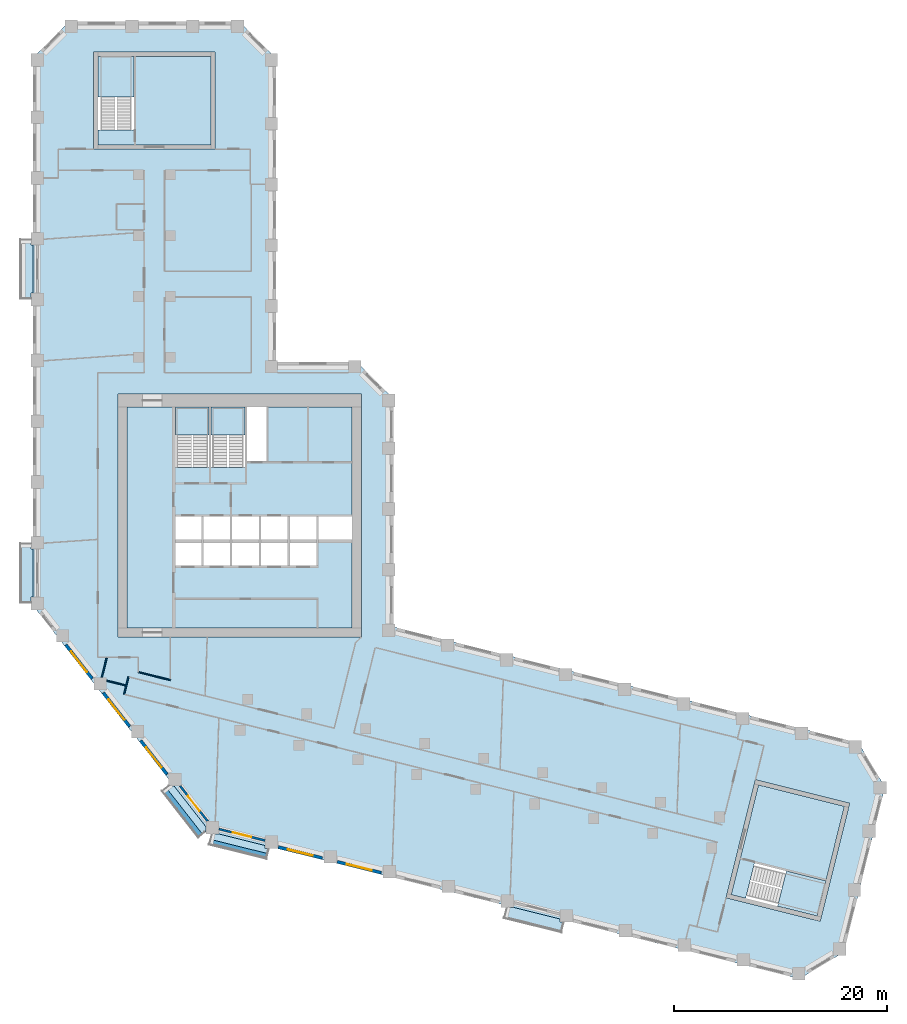
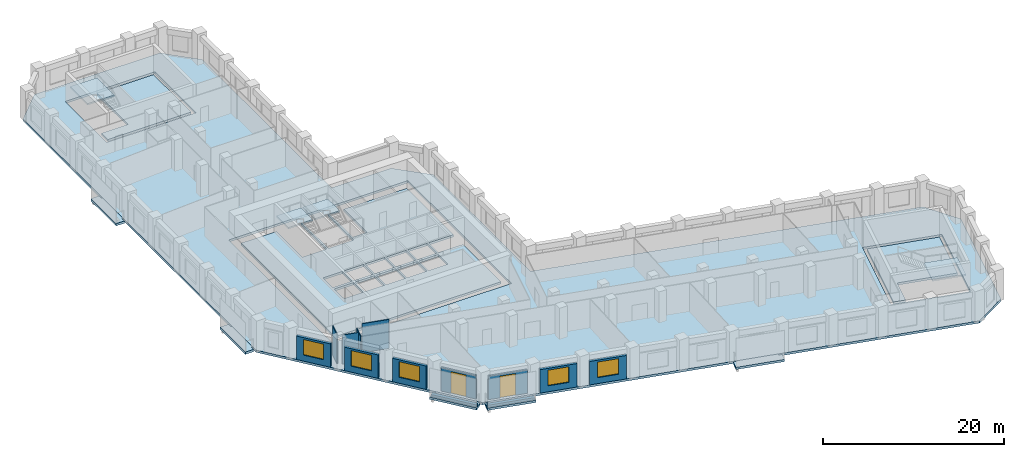
# One storey, part 2 of 10: 13 slabs, 13 walls, 5 windows, 2 doors, 7 openings, 4 elements without a shape of their own.
"""IFC4 building model written with IfcOpenShell, lengths in metres."""

from ifc_helpers import new_model, si_unit, direction, frame, frame_2d, origin, place, context, subcontext, project, spatial, polyline, rectangle, outline, extrude, material, layer, layer_set, type_object, element, fill, aggregate, save


model = new_model("IFC4")

# Units and contexts
model_context = context("Model", 3, precision=1e-05, world=origin(), true_north=direction((0.0, 1.0)))
body_context = subcontext(model_context, "Body", "Model", "MODEL_VIEW")
ifc_project = project(units=[si_unit("LENGTHUNIT", "METRE"), si_unit("AREAUNIT", "SQUARE_METRE"), si_unit("VOLUMEUNIT", "CUBIC_METRE"), si_unit("PLANEANGLEUNIT", "RADIAN"), si_unit("MASSUNIT", "GRAM", prefix="KILO")], contexts=[model_context])

# Site, building, storey
site_placement = place(None, origin())
site = spatial("IfcSite", under=ifc_project, at=site_placement, CompositionType="ELEMENT")
building_placement = place(site_placement, origin())
building = spatial("IfcBuilding", under=site, at=building_placement, Name="Meshkara Civic Tower", CompositionType="ELEMENT")
storey_placement = place(building_placement, frame((0.0, 0.0, 165.60009765625)))
storey = spatial("IfcBuildingStorey", under=building, at=storey_placement, Name="L37", CompositionType="ELEMENT", Elevation=165.60009765625)

# Slabs
ifc_material_1 = material(Name="Concrete C40", Category="concrete")
ifc_layer_1 = layer(ifc_material_1, 0.300048828125)
ifc_layer_set_1 = layer_set([ifc_layer_1], Name="BALCONY SLAB")
slab_type_1 = type_object("IfcSlabType", Name="BALCONY SLAB", PredefinedType="FLOOR", material=ifc_layer_set_1)
slab_1_placement = place(storey_placement, frame((0.0, 0.0, -0.300048828125)))
element("IfcSlab", 1, at=slab_1_placement, inside=storey, type_object=slab_type_1, Name="Balcony slab", PredefinedType="FLOOR", context=body_context, shape_type="SweptSolid", body=[
    extrude(outline(polyline([(-1.199951171875, 45.81494140625), (-1.199951171875, 51.39501953125), (-0.14990234375, 51.39501953125), (-0.14990234375, 50.85498046875), (0.0, 50.85498046875), (0.0, 46.35498046875), (-0.14990234375, 46.35498046875), (-0.14990234375, 45.81494140625), (-1.199951171875, 45.81494140625)])), origin(), (0.0, 0.0, 1.0), 0.300048828125),
])
slab_2_placement = place(storey_placement, frame((0.0, 0.0, -0.300048828125)))
element("IfcSlab", 2, at=slab_2_placement, inside=storey, type_object=slab_type_1, Name="Balcony slab", PredefinedType="FLOOR", context=body_context, shape_type="SweptSolid", body=[
    extrude(outline(polyline([(-1.199951171875, 17.31494140625), (-1.199951171875, 22.89501953125), (-0.14990234375, 22.89501953125), (-0.14990234375, 22.35498046875), (0.0, 22.35498046875), (0.0, 17.85498046875), (-0.14990234375, 17.85498046875), (-0.14990234375, 17.31494140625), (-1.199951171875, 17.31494140625)])), origin(), (0.0, 0.0, 1.0), 0.300048828125),
])
slab_3_placement = place(storey_placement, frame((0.0, 0.0, -0.300048828125)))
element("IfcSlab", 3, at=slab_3_placement, inside=storey, type_object=slab_type_1, Name="Balcony slab", PredefinedType="FLOOR", context=body_context, shape_type="SweptSolid", body=[
    extrude(outline(polyline([(15.513916015625, -4.7060546875), (12.0791015625, -0.30908203125), (12.741943359375, 0.208984375), (12.741943359375, 0.154052734375), (13.239990234375, 0.154052734375), (16.2509765625, -3.700927734375), (16.2509765625, -4.131103515625), (15.513916015625, -4.7060546875)])), origin(), (0.0, 0.0, 1.0), 0.300048828125),
])
slab_4_placement = place(storey_placement, frame((0.0, 0.0, -0.300048828125)))
element("IfcSlab", 4, at=slab_4_placement, inside=storey, type_object=slab_type_1, Name="Balcony slab", PredefinedType="FLOOR", context=body_context, shape_type="SweptSolid", body=[
    extrude(outline(polyline([(21.925048828125, -6.702880859375), (16.510009765625, -5.35302734375), (16.762939453125, -4.337890625), (17.39794921875, -4.337890625), (21.781982421875, -5.430908203125), (21.781982421875, -5.717041015625), (22.1708984375, -5.717041015625), (21.925048828125, -6.702880859375)])), origin(), (0.0, 0.0, 1.0), 0.300048828125),
])
slab_5_placement = place(storey_placement, frame((0.0, 0.0, -0.300048828125)))
element("IfcSlab", 5, at=slab_5_placement, inside=storey, type_object=slab_type_1, Name="Balcony slab", PredefinedType="FLOOR", context=body_context, shape_type="SweptSolid", body=[
    extrude(outline(polyline([(49.577880859375, -13.597900390625), (44.1640625, -12.248046875), (44.4169921875, -11.23193359375), (45.050048828125, -11.23193359375), (49.43505859375, -12.324951171875), (49.43505859375, -12.611083984375), (49.823974609375, -12.611083984375), (49.577880859375, -13.597900390625)])), origin(), (0.0, 0.0, 1.0), 0.300048828125),
])
ifc_material_2 = material(Name="Concrete C40/50", Category="concrete")
ifc_layer_2 = layer(ifc_material_2, 0.300048828125)
ifc_layer_set_2 = layer_set([ifc_layer_2], Name="Core floor slab 300 C40/50")
slab_type_2 = type_object("IfcSlabType", Name="Core floor slab 300 C40/50", PredefinedType="FLOOR", material=ifc_layer_set_2)
slab_6_placement = place(storey_placement, frame((0.0, 0.0, -0.300048828125)))
element("IfcSlab", 6, at=slab_6_placement, inside=storey, type_object=slab_type_2, Name="Core floor K", PredefinedType="FLOOR", context=body_context, shape_type="SweptSolid", body=[
    extrude(outline(polyline([(8.85009765625, 35.699951171875), (13.3701171875, 35.699951171875), (13.3701171875, 30.00146484375), (16.5, 30.00146484375), (16.5, 35.699951171875), (16.699951171875, 35.699951171875), (16.699951171875, 30.00146484375), (19.89990234375, 30.00146484375), (19.89990234375, 35.699951171875), (20.10009765625, 35.699951171875), (20.10009765625, 30.574951171875), (21.925048828125, 30.574951171875), (21.925048828125, 35.699951171875), (29.949951171875, 35.699951171875), (29.949951171875, 25.39990234375), (26.800048828125, 25.39990234375), (26.800048828125, 23.27001953125), (29.949951171875, 23.27001953125), (29.949951171875, 14.949951171875), (8.85009765625, 14.949951171875), (8.85009765625, 35.699951171875)]), holes=[polyline([(15.800048828125, 22.929931640625), (13.3701171875, 22.929931640625), (13.3701171875, 20.800048828125), (15.800048828125, 20.800048828125), (15.800048828125, 22.929931640625)]), polyline([(16.0, 22.929931640625), (16.0, 20.800048828125), (18.5, 20.800048828125), (18.5, 22.929931640625), (16.0, 22.929931640625)]), polyline([(18.699951171875, 22.929931640625), (18.699951171875, 20.800048828125), (21.199951171875, 20.800048828125), (21.199951171875, 22.929931640625), (18.699951171875, 22.929931640625)]), polyline([(15.800048828125, 23.27001953125), (15.800048828125, 25.39990234375), (13.3701171875, 25.39990234375), (13.3701171875, 23.27001953125), (15.800048828125, 23.27001953125)]), polyline([(16.0, 25.39990234375), (16.0, 23.27001953125), (18.5, 23.27001953125), (18.5, 25.39990234375), (16.0, 25.39990234375)]), polyline([(21.39990234375, 20.800048828125), (23.89990234375, 20.800048828125), (23.89990234375, 22.929931640625), (21.39990234375, 22.929931640625), (21.39990234375, 20.800048828125)]), polyline([(24.10009765625, 20.800048828125), (26.60009765625, 20.800048828125), (26.60009765625, 22.929931640625), (24.10009765625, 22.929931640625), (24.10009765625, 20.800048828125)]), polyline([(18.699951171875, 25.39990234375), (18.699951171875, 23.27001953125), (21.199951171875, 23.27001953125), (21.199951171875, 25.39990234375), (18.699951171875, 25.39990234375)]), polyline([(21.39990234375, 25.39990234375), (21.39990234375, 23.27001953125), (23.89990234375, 23.27001953125), (23.89990234375, 25.39990234375), (21.39990234375, 25.39990234375)]), polyline([(24.10009765625, 23.27001953125), (26.60009765625, 23.27001953125), (26.60009765625, 25.39990234375), (24.10009765625, 25.39990234375), (24.10009765625, 23.27001953125)])]), origin(), (0.0, 0.0, 1.0), 0.300048828125),
])
slab_7_placement = place(storey_placement, frame((0.0, 0.0, -0.300048828125)))
element("IfcSlab", 7, at=slab_7_placement, inside=storey, type_object=slab_type_2, Name="Core floor EA", PredefinedType="FLOOR", context=body_context, shape_type="SweptSolid", body=[
    extrude(outline(polyline([(16.699951171875, 60.27001953125), (16.699951171875, 68.570068359375), (9.5, 68.570068359375), (9.5, 61.67138671875), (6.10009765625, 61.67138671875), (6.10009765625, 60.27001953125), (16.699951171875, 60.27001953125)])), origin(), (0.0, 0.0, 1.0), 0.300048828125),
])
slab_8_placement = place(storey_placement, frame((0.0, 0.0, -0.300048828125)))
element("IfcSlab", 8, at=slab_8_placement, inside=storey, type_object=slab_type_2, Name="Core floor EB", PredefinedType="FLOOR", context=body_context, shape_type="SweptSolid", body=[
    extrude(outline(polyline([(68.050537109375, 0.244384765625), (76.10400390625, -1.763671875), (74.362060546875, -8.749755859375), (67.66845703125, -7.080810546875), (66.845947265625, -10.3798828125), (65.486083984375, -10.040771484375), (68.050537109375, 0.244384765625)])), origin(), (0.0, 0.0, 1.0), 0.300048828125),
])

# Stair, slab
ifc_material_3 = material(Name="Precast concrete C40/50", Category="concrete")
stair_type = type_object("IfcStairType", Name="Exit stair half-turn 24 risers precast", PredefinedType="HALF_TURN_STAIR", material=ifc_material_3)
stair_1_placement = place(storey_placement, origin())
stair_1 = element("IfcStair", 9, at=stair_1_placement, inside=storey, type_object=stair_type, Name="L37 exit stair 1", PredefinedType="HALF_TURN_STAIR")
ifc_material_4 = material(Name="Precast concrete C40/50", Category="concrete")
ifc_layer_3 = layer(ifc_material_4, 0.199951171875)
ifc_layer_set_3 = layer_set([ifc_layer_3], Name="Exit stair landing 200")
slab_type_3 = type_object("IfcSlabType", Name="Exit stair landing 200", PredefinedType="LANDING", material=ifc_layer_set_3)
slab_9_placement = place(storey_placement, frame((0.0, 0.0, 1.89990234375)))
slab_9 = element("IfcSlab", 10, at=slab_9_placement, type_object=slab_type_3, Name="ST1 landing 1", PredefinedType="LANDING", context=body_context, shape_type="SweptSolid", body=[
    extrude(outline(polyline([(16.5, 33.07861328125), (16.5, 35.699951171875), (13.3701171875, 35.699951171875), (13.3701171875, 33.07861328125), (16.5, 33.07861328125)])), origin(), (0.0, 0.0, 1.0), 0.199951171875),
])
aggregate(stair_1, [slab_9])

stair_2_placement = place(storey_placement, origin())
stair_2 = element("IfcStair", 11, at=stair_2_placement, inside=storey, type_object=stair_type, Name="L37 exit stair 2", PredefinedType="HALF_TURN_STAIR")
slab_10_placement = place(storey_placement, frame((0.0, 0.0, 1.89990234375)))
slab_10 = element("IfcSlab", 12, at=slab_10_placement, type_object=slab_type_3, Name="ST2 landing 1", PredefinedType="LANDING", context=body_context, shape_type="SweptSolid", body=[
    extrude(outline(polyline([(19.89990234375, 33.07861328125), (19.89990234375, 35.699951171875), (16.699951171875, 35.699951171875), (16.699951171875, 33.07861328125), (19.89990234375, 33.07861328125)])), origin(), (0.0, 0.0, 1.0), 0.199951171875),
])
aggregate(stair_2, [slab_10])

stair_3_placement = place(storey_placement, origin())
stair_3 = element("IfcStair", 13, at=stair_3_placement, inside=storey, type_object=stair_type, Name="L37 exit stair A from L35", PredefinedType="HALF_TURN_STAIR")
slab_11_placement = place(storey_placement, frame((0.0, 0.0, 1.89990234375)))
slab_11 = element("IfcSlab", 14, at=slab_11_placement, type_object=slab_type_3, Name="ESA3 landing 1", PredefinedType="LANDING", context=body_context, shape_type="SweptSolid", body=[
    extrude(outline(polyline([(9.5, 64.74853515625), (9.5, 68.570068359375), (6.10009765625, 68.570068359375), (6.10009765625, 64.74853515625), (9.5, 64.74853515625)])), origin(), (0.0, 0.0, 1.0), 0.199951171875),
])
aggregate(stair_3, [slab_11])

stair_4_placement = place(storey_placement, origin())
stair_4 = element("IfcStair", 15, at=stair_4_placement, inside=storey, type_object=stair_type, Name="L37 exit stair B from L35", PredefinedType="HALF_TURN_STAIR")
slab_12_placement = place(storey_placement, frame((0.0, 0.0, 1.89990234375)))
slab_12 = element("IfcSlab", 16, at=slab_12_placement, type_object=slab_type_3, Name="ESB3 landing 1", PredefinedType="LANDING", context=body_context, shape_type="SweptSolid", body=[
    extrude(outline(polyline([(69.831298828125, -11.124755859375), (73.5400390625, -12.049072265625), (74.3623046875, -8.7490234375), (70.653564453125, -7.82470703125), (69.831298828125, -11.124755859375)])), origin(), (0.0, 0.0, 1.0), 0.199951171875),
])
aggregate(stair_4, [slab_12])

# Slab
ifc_material_5 = material(Name="Concrete C50", Category="concrete")
ifc_layer_4 = layer(ifc_material_5, 0.300048828125)
ifc_layer_set_4 = layer_set([ifc_layer_4], Name="Post-tensioned flat slab 300 C50")
slab_type_4 = type_object("IfcSlabType", Name="Post-tensioned flat slab 300 C50", PredefinedType="FLOOR", material=ifc_layer_set_4)
slab_13_placement = place(storey_placement, frame((0.0, 0.0, -0.300048828125)))
element("IfcSlab", 17, at=slab_13_placement, inside=storey, type_object=slab_type_4, Name="Post-tensioned flat slab L37", PredefinedType="FLOOR", context=body_context, shape_type="SweptSolid", body=[
    extrude(outline(polyline([(76.044921875, -15.43505859375), (71.89892578125, -17.926025390625), (16.592041015625, -4.136962890625), (0.0, 17.10009765625), (0.0, 68.39990234375), (3.419921875, 71.820068359375), (19.3798828125, 71.820068359375), (22.800048828125, 68.39990234375), (22.800048828125, 39.89990234375), (30.3798828125, 39.89990234375), (33.800048828125, 36.47998046875), (33.800048828125, 15.071044921875), (77.4150390625, 4.196044921875), (79.906005859375, 0.051025390625), (76.044921875, -15.43505859375)]), holes=[polyline([(73.8310546875, -12.533935546875), (76.589111328125, -1.471923828125), (67.759033203125, 0.72900390625), (65.0009765625, -10.33203125), (73.8310546875, -12.533935546875)]), polyline([(8.0, 14.10009765625), (30.800048828125, 14.10009765625), (30.800048828125, 36.89990234375), (8.0, 36.89990234375), (8.0, 14.10009765625)]), polyline([(5.699951171875, 68.969970703125), (5.699951171875, 59.8701171875), (17.10009765625, 59.8701171875), (17.10009765625, 68.969970703125), (5.699951171875, 68.969970703125)])]), origin(), (0.0, 0.0, 1.0), 0.300048828125),
])

# Walls
ifc_material_6 = material(Name="Corridor wall 100")
ifc_layer_5 = layer(ifc_material_6, 0.10009765625)
ifc_layer_set_5 = layer_set([ifc_layer_5], Name="Corridor wall 100")
wall_type_1 = type_object("IfcWallType", Name="Corridor wall 100", PredefinedType="PARTITIONING", material=ifc_layer_set_5)
wall_1_placement = place(storey_placement, frame((8.972900390625, 10.382080078125, 0.0), z_axis=(0.0, 0.0, 1.0), x_axis=(-0.241650823739, -0.970363271866, 0.0)))
element("IfcWall", 18, at=wall_1_placement, inside=storey, type_object=wall_type_1, Name="L37-W008", PredefinedType="PARTITIONING", context=body_context, shape_type="SweptSolid", body=[
    extrude(rectangle(XDim=1.688232421875, YDim=0.10009765625, at=frame_2d((0.84423828125, 0.0))), origin(), (0.0, 0.0, 1.0), 3.89990234375),
])
wall_2_placement = place(storey_placement, frame((9.89990234375, 10.825927734375, 0.0), z_axis=(0.0, 0.0, 1.0), x_axis=(0.970290953223, -0.241941038466, 0.0)))
element("IfcWall", 19, at=wall_2_placement, inside=storey, type_object=wall_type_1, Name="L37-W009", PredefinedType="PARTITIONING", context=body_context, shape_type="SweptSolid", body=[
    extrude(rectangle(XDim=3.091796875, YDim=0.10009765625, at=frame_2d((1.5458984375, 0.0))), origin(), (0.0, 0.0, 1.0), 3.89990234375),
])

# Wall, opening, window
ifc_material_7 = material(Name="Insulated infill panel with bronze anodised aluminium cladding", Category="aluminium")
ifc_layer_6 = layer(ifc_material_7, 0.300048828125)
ifc_layer_set_6 = layer_set([ifc_layer_6], Name="EXTERNAL INFILL WALL 300")
wall_type_2 = type_object("IfcWallType", Name="EXTERNAL INFILL WALL 300", PredefinedType="SOLIDWALL", material=ifc_layer_set_6)
wall_3_placement = place(storey_placement, frame((3.095947265625, 13.381103515625, 0.0), z_axis=(0.0, 0.0, 1.0), x_axis=(0.615563820493, -0.78808704018, 0.0)))
wall_3 = element("IfcWall", 20, at=wall_3_placement, inside=storey, type_object=wall_type_2, Name="External wall", PredefinedType="SOLIDWALL", context=body_context, shape_type="SweptSolid", body=[
    extrude(rectangle(XDim=4.01611328125, YDim=0.300048828125, at=frame_2d((2.008056640625, 0.0))), origin(), (0.0, 0.0, 1.0), 3.14990234375),
])
opening_1_placement = place(wall_3_placement, frame((0.80810546875, 0.0, 0.800048828125)))
opening_1 = element("IfcOpeningElement", 21, at=opening_1_placement, cuts=wall_3, Name="Opening W7", PredefinedType="OPENING", context=body_context, shape_type="SweptSolid", body=[
    extrude(rectangle(XDim=2.39990234375, YDim=2.10009765625, at=frame_2d((1.199951171875, 1.050048828125))), frame((0.0, 0.159912109375, 0.0), z_axis=(0.0, -1.0, 0.0), x_axis=(1.0, 0.0, 0.0)), (0.0, 0.0, 1.0), 0.320068359375),
])
ifc_material_8 = material(Name="Tinted double glazing", Category="glass")
window_type = type_object("IfcWindowType", Name="WINDOW 2400x2100", PartitioningType="DOUBLE_PANEL_VERTICAL", PredefinedType="WINDOW", material=ifc_material_8)
window_1_placement = place(opening_1_placement, origin())
window_1 = element("IfcWindow", 22, at=window_1_placement, inside=storey, type_object=window_type, Name="Window", OverallHeight=2.10009765625, OverallWidth=2.39990234375, PartitioningType="DOUBLE_PANEL_VERTICAL", PredefinedType="WINDOW", context=body_context, shape_type="SweptSolid", body=[
    extrude(rectangle(XDim=2.39990234375, YDim=2.10009765625, at=frame_2d((1.199951171875, 1.050048828125))), frame((0.0, 0.030029296875, 0.0), z_axis=(0.0, -1.0, 0.0), x_axis=(1.0, 0.0, 0.0)), (0.0, 0.0, 1.0), 0.06005859375),
])
fill(opening_1, window_1)

wall_4_placement = place(storey_placement, frame((6.60498046875, 8.888916015625, 0.0), z_axis=(0.0, 0.0, 1.0), x_axis=(0.615706559089, -0.787975528233, 0.0)))
wall_4 = element("IfcWall", 23, at=wall_4_placement, inside=storey, type_object=wall_type_2, Name="External wall", PredefinedType="SOLIDWALL", context=body_context, shape_type="SweptSolid", body=[
    extrude(rectangle(XDim=4.016357421875, YDim=0.300048828125, at=frame_2d((2.00830078125, 0.0))), origin(), (0.0, 0.0, 1.0), 3.14990234375),
])
opening_2_placement = place(wall_4_placement, frame((0.80810546875, 0.0, 0.800048828125)))
opening_2 = element("IfcOpeningElement", 24, at=opening_2_placement, cuts=wall_4, Name="Opening W7", PredefinedType="OPENING", context=body_context, shape_type="SweptSolid", body=[
    extrude(rectangle(XDim=2.39990234375, YDim=2.10009765625, at=frame_2d((1.199951171875, 1.050048828125))), frame((0.0, 0.159912109375, 0.0), z_axis=(0.0, -1.0, 0.0), x_axis=(1.0, 0.0, 0.0)), (0.0, 0.0, 1.0), 0.320068359375),
])
window_2_placement = place(opening_2_placement, origin())
window_2 = element("IfcWindow", 25, at=window_2_placement, inside=storey, type_object=window_type, Name="Window", OverallHeight=2.10009765625, OverallWidth=2.39990234375, PartitioningType="DOUBLE_PANEL_VERTICAL", PredefinedType="WINDOW", context=body_context, shape_type="SweptSolid", body=[
    extrude(rectangle(XDim=2.39990234375, YDim=2.10009765625, at=frame_2d((1.199951171875, 1.050048828125))), frame((0.0, 0.030029296875, 0.0), z_axis=(0.0, -1.0, 0.0), x_axis=(1.0, 0.0, 0.0)), (0.0, 0.0, 1.0), 0.06005859375),
])
fill(opening_2, window_2)

wall_5_placement = place(storey_placement, frame((10.114990234375, 4.39697265625, 0.0), z_axis=(0.0, 0.0, 1.0), x_axis=(0.615644041972, -0.788024373725, 0.0)))
wall_5 = element("IfcWall", 26, at=wall_5_placement, inside=storey, type_object=wall_type_2, Name="External wall", PredefinedType="SOLIDWALL", context=body_context, shape_type="SweptSolid", body=[
    extrude(rectangle(XDim=4.01513671875, YDim=0.300048828125, at=frame_2d((2.007568359375, 0.0))), origin(), (0.0, 0.0, 1.0), 3.14990234375),
])
opening_3_placement = place(wall_5_placement, frame((0.806884765625, 0.0, 0.800048828125)))
opening_3 = element("IfcOpeningElement", 27, at=opening_3_placement, cuts=wall_5, Name="Opening W7", PredefinedType="OPENING", context=body_context, shape_type="SweptSolid", body=[
    extrude(rectangle(XDim=2.39990234375, YDim=2.10009765625, at=frame_2d((1.199951171875, 1.050048828125))), frame((0.0, 0.159912109375, 0.0), z_axis=(0.0, -1.0, 0.0), x_axis=(1.0, 0.0, 0.0)), (0.0, 0.0, 1.0), 0.320068359375),
])
window_3_placement = place(opening_3_placement, origin())
window_3 = element("IfcWindow", 28, at=window_3_placement, inside=storey, type_object=window_type, Name="Window", OverallHeight=2.10009765625, OverallWidth=2.39990234375, PartitioningType="DOUBLE_PANEL_VERTICAL", PredefinedType="WINDOW", context=body_context, shape_type="SweptSolid", body=[
    extrude(rectangle(XDim=2.39990234375, YDim=2.10009765625, at=frame_2d((1.199951171875, 1.050048828125))), frame((0.0, 0.030029296875, 0.0), z_axis=(0.0, -1.0, 0.0), x_axis=(1.0, 0.0, 0.0)), (0.0, 0.0, 1.0), 0.06005859375),
])
fill(opening_3, window_3)

wall_6_placement = place(storey_placement, frame((23.014892578125, -5.583984375, 0.0), z_axis=(0.0, 0.0, 1.0), x_axis=(0.970291164166, -0.241940192487, 0.0)))
wall_6 = element("IfcWall", 29, at=wall_6_placement, inside=storey, type_object=wall_type_2, Name="External wall", PredefinedType="SOLIDWALL", context=body_context, shape_type="SweptSolid", body=[
    extrude(rectangle(XDim=4.245361328125, YDim=0.300048828125, at=frame_2d((2.12255859375, 0.0))), origin(), (0.0, 0.0, 1.0), 3.14990234375),
])
opening_4_placement = place(wall_6_placement, frame((0.922119140625, 0.0, 0.800048828125)))
opening_4 = element("IfcOpeningElement", 30, at=opening_4_placement, cuts=wall_6, Name="Opening W7", PredefinedType="OPENING", context=body_context, shape_type="SweptSolid", body=[
    extrude(rectangle(XDim=2.39990234375, YDim=2.10009765625, at=frame_2d((1.199951171875, 1.050048828125))), frame((0.0, 0.159912109375, 0.0), z_axis=(0.0, -1.0, 0.0), x_axis=(1.0, 0.0, 0.0)), (0.0, 0.0, 1.0), 0.320068359375),
])
window_4_placement = place(opening_4_placement, origin())
window_4 = element("IfcWindow", 31, at=window_4_placement, inside=storey, type_object=window_type, Name="Window", OverallHeight=2.10009765625, OverallWidth=2.39990234375, PartitioningType="DOUBLE_PANEL_VERTICAL", PredefinedType="WINDOW", context=body_context, shape_type="SweptSolid", body=[
    extrude(rectangle(XDim=2.39990234375, YDim=2.10009765625, at=frame_2d((1.199951171875, 1.050048828125))), frame((0.0, 0.030029296875, 0.0), z_axis=(0.0, -1.0, 0.0), x_axis=(1.0, 0.0, 0.0)), (0.0, 0.0, 1.0), 0.06005859375),
])
fill(opening_4, window_4)

wall_7_placement = place(storey_placement, frame((28.544921875, -6.962890625, 0.0), z_axis=(0.0, 0.0, 1.0), x_axis=(0.97030462482, -0.241886202691, 0.0)))
wall_7 = element("IfcWall", 32, at=wall_7_placement, inside=storey, type_object=wall_type_2, Name="External wall", PredefinedType="SOLIDWALL", context=body_context, shape_type="SweptSolid", body=[
    extrude(rectangle(XDim=4.24609375, YDim=0.300048828125, at=frame_2d((2.123046875, 0.0))), origin(), (0.0, 0.0, 1.0), 3.14990234375),
])
opening_5_placement = place(wall_7_placement, frame((0.923095703125, 0.0, 0.800048828125)))
opening_5 = element("IfcOpeningElement", 33, at=opening_5_placement, cuts=wall_7, Name="Opening W7", PredefinedType="OPENING", context=body_context, shape_type="SweptSolid", body=[
    extrude(rectangle(XDim=2.39990234375, YDim=2.10009765625, at=frame_2d((1.199951171875, 1.050048828125))), frame((0.0, 0.159912109375, 0.0), z_axis=(0.0, -1.0, 0.0), x_axis=(1.0, 0.0, 0.0)), (0.0, 0.0, 1.0), 0.320068359375),
])
window_5_placement = place(opening_5_placement, origin())
window_5 = element("IfcWindow", 34, at=window_5_placement, inside=storey, type_object=window_type, Name="Window", OverallHeight=2.10009765625, OverallWidth=2.39990234375, PartitioningType="DOUBLE_PANEL_VERTICAL", PredefinedType="WINDOW", context=body_context, shape_type="SweptSolid", body=[
    extrude(rectangle(XDim=2.39990234375, YDim=2.10009765625, at=frame_2d((1.199951171875, 1.050048828125))), frame((0.0, 0.030029296875, 0.0), z_axis=(0.0, -1.0, 0.0), x_axis=(1.0, 0.0, 0.0)), (0.0, 0.0, 1.0), 0.06005859375),
])
fill(opening_5, window_5)

# Wall, opening, door
ifc_material_9 = material(Name="Insulated infill panel with bronze anodised aluminium cladding", Category="aluminium")
ifc_layer_7 = layer(ifc_material_9, 0.199951171875)
ifc_layer_set_7 = layer_set([ifc_layer_7], Name="LOGGIA BACK WALL 200")
wall_type_3 = type_object("IfcWallType", Name="LOGGIA BACK WALL 200", PredefinedType="SOLIDWALL", material=ifc_layer_set_7)
wall_8_placement = place(storey_placement, frame((13.81103515625, 0.154052734375, 0.0), z_axis=(0.0, 0.0, 1.0), x_axis=(0.615521537177, -0.788120065264, 0.0)))
wall_8 = element("IfcWall", 35, at=wall_8_placement, inside=storey, type_object=wall_type_3, Name="Loggia wall", PredefinedType="SOLIDWALL", context=body_context, shape_type="SweptSolid", body=[
    extrude(rectangle(XDim=4.177001953125, YDim=0.199951171875, at=frame_2d((2.08837890625, 0.0))), origin(), (0.0, 0.0, 1.0), 3.14990234375),
])
opening_6_placement = place(wall_8_placement, frame((1.18798828125, 0.0, 0.0)))
opening_6 = element("IfcOpeningElement", 36, at=opening_6_placement, cuts=wall_8, Name="Opening L37-L003", PredefinedType="OPENING", context=body_context, shape_type="SweptSolid", body=[
    extrude(rectangle(XDim=1.800048828125, YDim=2.89990234375, at=frame_2d((0.89990234375, 1.449951171875))), frame((0.0, 0.10986328125, 0.0), z_axis=(0.0, -1.0, 0.0), x_axis=(1.0, 0.0, 0.0)), (0.0, 0.0, 1.0), 0.219970703125),
])
ifc_material_10 = material(Name="Tinted double glazing", Category="glass")
door_type = type_object("IfcDoorType", Name="LOGGIA DOOR 1800x2900", OperationType="DOUBLE_DOOR_SINGLE_SWING", PredefinedType="DOOR", material=ifc_material_10)
door_1_placement = place(opening_6_placement, origin())
door_1 = element("IfcDoor", 37, at=door_1_placement, inside=storey, type_object=door_type, Name="L37-L003", OperationType="DOUBLE_DOOR_SINGLE_SWING", OverallHeight=2.89990234375, OverallWidth=1.800048828125, PredefinedType="DOOR", context=body_context, shape_type="SweptSolid", body=[
    extrude(rectangle(XDim=1.800048828125, YDim=2.89990234375, at=frame_2d((0.89990234375, 1.449951171875))), frame((0.0, 0.02490234375, 0.0), z_axis=(0.0, -1.0, 0.0), x_axis=(1.0, 0.0, 0.0)), (0.0, 0.0, 1.0), 0.050048828125),
])
fill(opening_6, door_1)

wall_9_placement = place(storey_placement, frame((17.450927734375, -3.887939453125, 0.0), z_axis=(0.0, 0.0, 1.0), x_axis=(0.970335243139, -0.241763346938, 0.0)))
wall_9 = element("IfcWall", 38, at=wall_9_placement, inside=storey, type_object=wall_type_3, Name="Loggia wall", PredefinedType="SOLIDWALL", context=body_context, shape_type="SweptSolid", body=[
    extrude(rectangle(XDim=4.46337890625, YDim=0.199951171875, at=frame_2d((2.231689453125, 0.0))), origin(), (0.0, 0.0, 1.0), 3.14990234375),
])
opening_7_placement = place(wall_9_placement, frame((1.3310546875, 0.0, 0.0)))
opening_7 = element("IfcOpeningElement", 39, at=opening_7_placement, cuts=wall_9, Name="Opening L37-L004", PredefinedType="OPENING", context=body_context, shape_type="SweptSolid", body=[
    extrude(rectangle(XDim=1.800048828125, YDim=2.89990234375, at=frame_2d((0.89990234375, 1.449951171875))), frame((0.0, 0.10986328125, 0.0), z_axis=(0.0, -1.0, 0.0), x_axis=(1.0, 0.0, 0.0)), (0.0, 0.0, 1.0), 0.219970703125),
])
door_2_placement = place(opening_7_placement, origin())
door_2 = element("IfcDoor", 40, at=door_2_placement, inside=storey, type_object=door_type, Name="L37-L004", OperationType="DOUBLE_DOOR_SINGLE_SWING", OverallHeight=2.89990234375, OverallWidth=1.800048828125, PredefinedType="DOOR", context=body_context, shape_type="SweptSolid", body=[
    extrude(rectangle(XDim=1.800048828125, YDim=2.89990234375, at=frame_2d((0.89990234375, 1.449951171875))), frame((0.0, 0.02490234375, 0.0), z_axis=(0.0, -1.0, 0.0), x_axis=(1.0, 0.0, 0.0)), (0.0, 0.0, 1.0), 0.050048828125),
])
fill(opening_7, door_2)

# Walls
ifc_material_11 = material(Name="Concrete C40", Category="concrete")
ifc_layer_8 = layer(ifc_material_11, 0.39990234375)
ifc_layer_set_8 = layer_set([ifc_layer_8], Name="PLANTER TRAY")
wall_type_4 = type_object("IfcWallType", Name="PLANTER TRAY", PredefinedType="SOLIDWALL", material=ifc_layer_set_8)
wall_10_placement = place(storey_placement, frame((12.39794921875, -0.198974609375, 0.0), z_axis=(0.0, 0.0, 1.0), x_axis=(0.615638738903, -0.788028516719, 0.0)))
element("IfcWall", 41, at=wall_10_placement, inside=storey, type_object=wall_type_4, Name="Planter", PredefinedType="SOLIDWALL", context=body_context, shape_type="SweptSolid", body=[
    extrude(rectangle(XDim=5.3603515625, YDim=0.39990234375, at=frame_2d((2.68017578125, 0.0))), origin(), (0.0, 0.0, 1.0), 0.2998046875),
])
wall_11_placement = place(storey_placement, frame((16.694091796875, -5.069091796875, 0.0), z_axis=(0.0, 0.0, 1.0), x_axis=(0.970289679319, -0.241946147329, 0.0)))
element("IfcWall", 42, at=wall_11_placement, inside=storey, type_object=wall_type_4, Name="Planter", PredefinedType="SOLIDWALL", context=body_context, shape_type="SweptSolid", body=[
    extrude(rectangle(XDim=5.360107421875, YDim=0.39990234375, at=frame_2d((2.68017578125, 0.0))), origin(), (0.0, 0.0, 1.0), 0.2998046875),
])
ifc_material_12 = material(Name="Partition 100")
ifc_layer_9 = layer(ifc_material_12, 0.10009765625)
ifc_layer_set_9 = layer_set([ifc_layer_9], Name="Partition 100")
wall_type_5 = type_object("IfcWallType", Name="Partition 100", PredefinedType="PARTITIONING", material=ifc_layer_set_9)
wall_12_placement = place(storey_placement, frame((6.922119140625, 12.137939453125, 0.0), z_axis=(0.0, 0.0, 1.0), x_axis=(-0.242504681353, -0.970150235542, 0.0)))
element("IfcWall", 43, at=wall_12_placement, inside=storey, type_object=wall_type_5, Name="L37-W042", PredefinedType="PARTITIONING", context=body_context, shape_type="SweptSolid", body=[
    extrude(rectangle(XDim=1.8564453125, YDim=0.10009765625, at=frame_2d((0.92822265625, 0.0))), origin(), (0.0, 0.0, 1.0), 3.89990234375),
])
wall_13_placement = place(storey_placement, frame((8.719970703125, 9.573974609375, 0.0), z_axis=(0.0, 0.0, 1.0), x_axis=(-0.97017350799, 0.242411559945, 0.0)))
element("IfcWall", 44, at=wall_13_placement, inside=storey, type_object=wall_type_5, Name="L37-W045", PredefinedType="PARTITIONING", context=body_context, shape_type="SweptSolid", body=[
    extrude(rectangle(XDim=1.85205078125, YDim=0.10009765625, at=frame_2d((0.926025390625, 0.0))), origin(), (0.0, 0.0, 1.0), 3.89990234375),
])

save(model, "model.ifc")
